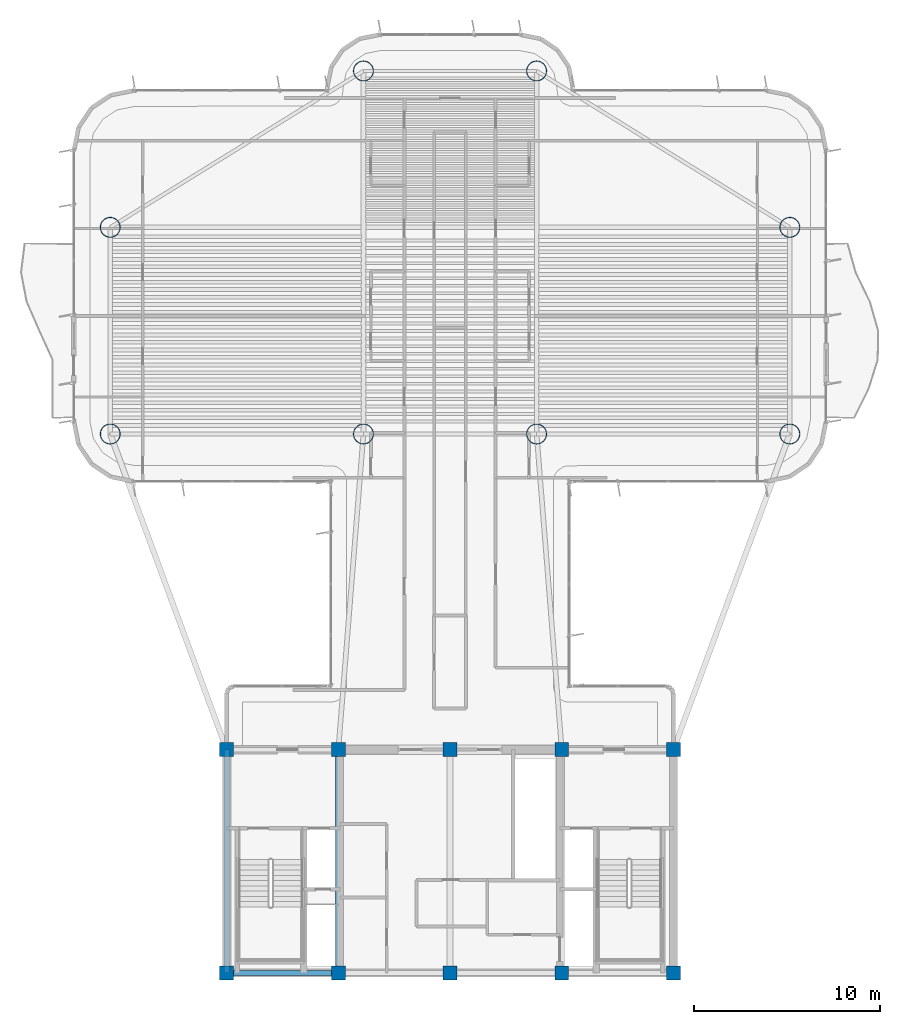
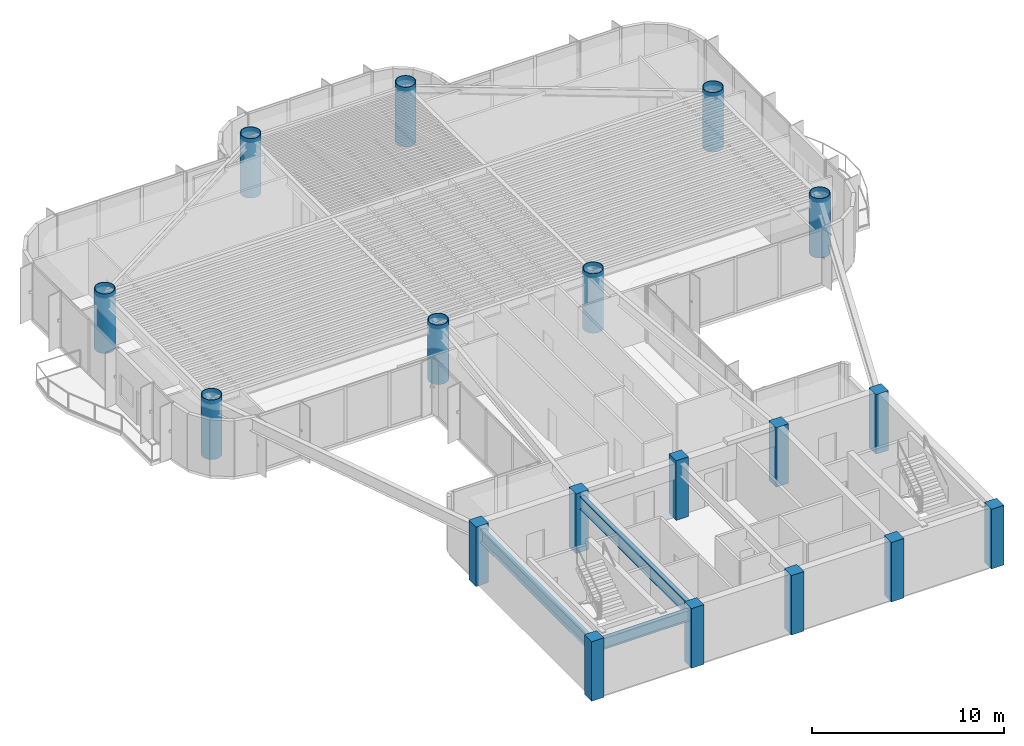
# One storey, part 1 of 15: 18 columns, 3 beams.
"""IFC4 building model written with IfcOpenShell, lengths in metres."""

import ifcopenshell
import ifcopenshell.guid

model = None  # the IFC model being written
_history = None  # IfcOwnerHistory: only IFC2X3 demands one
_inside = {}  # id of a spatial element -> (the spatial element, [elements in it])
_under = {}  # id of a project, library or spatial element -> (it, [spatial elements below it])
_declared = {}  # id of a project -> (the project, [libraries it declares])
_typed = {}  # id of a type object -> (the type object, [elements of that type])
_made_of = {}  # id of a material, layer set ... -> (it, [elements and type objects made of it])


def new_model(schema):
    """Start an empty IFC model of exactly this schema.

    Asked for "IFC4X3", IfcOpenShell would pick the latest addendum, in which some entities
    have other attributes; the version numbers below select the first issue.
    IFC2X3 requires an IfcOwnerHistory on every rooted entity: one is made here for all.
    """
    global model, _history
    if schema == "IFC4X3":
        model = ifcopenshell.file(schema_version=(4, 3, 0, 0))
    else:
        model = ifcopenshell.file(schema=schema)
    _inside.clear()
    _under.clear()
    _declared.clear()
    _typed.clear()
    _made_of.clear()
    _history = None
    if model.schema == "IFC2X3":
        org = make("IfcOrganization", Name="unknown")
        user = make(
            "IfcPersonAndOrganization",
            ThePerson=make("IfcPerson", FamilyName="unknown"),
            TheOrganization=org,
        )
        app = make(
            "IfcApplication",
            ApplicationDeveloper=org,
            Version="unknown",
            ApplicationFullName="unknown",
            ApplicationIdentifier="unknown",
        )
        _history = make(
            "IfcOwnerHistory",
            OwningUser=user,
            OwningApplication=app,
            ChangeAction="ADDED",
            CreationDate=0,
        )
    return model


def make(cls, **values):
    """One entity of the class cls with the attributes given. An attribute that is None is left unset."""
    return model.create_entity(
        cls, **{name: value for name, value in values.items() if value is not None}
    )


def rooted(cls, **values):
    """An entity with a GlobalId (a new one), such as an element, a storey or a relation."""
    return make(cls, GlobalId=ifcopenshell.guid.new(), OwnerHistory=_history, **values)


def si_unit(unit_type, name, prefix=None):
    """IfcSIUnit, for example si_unit("LENGTHUNIT", "METRE", prefix="MILLI")."""
    return make("IfcSIUnit", UnitType=unit_type, Prefix=prefix, Name=name)


def assignment(units):
    """IfcUnitAssignment: the units of a project."""
    return None if units is None else make("IfcUnitAssignment", Units=units)


def point(xyz):
    """IfcCartesianPoint."""
    return None if xyz is None else make("IfcCartesianPoint", Coordinates=xyz)


def direction(xyz):
    """IfcDirection."""
    return None if xyz is None else make("IfcDirection", DirectionRatios=xyz)


def frame(location, z_axis=None, x_axis=None):
    """IfcAxis2Placement3D, a coordinate frame: its origin and axes. An axis left out is left unset."""
    return make(
        "IfcAxis2Placement3D",
        Location=point(location),
        Axis=direction(z_axis),
        RefDirection=direction(x_axis),
    )


def frame_2d(location, x_axis=None):
    """IfcAxis2Placement2D, a coordinate frame in the plane: its origin and x axis."""
    return make(
        "IfcAxis2Placement2D", Location=point(location), RefDirection=direction(x_axis)
    )


def origin():
    """The frame at (0, 0, 0) with its axes left unset."""
    return frame((0.0, 0.0, 0.0))


def origin_2d():
    """The frame at (0, 0) in the plane with its x axis left unset."""
    return frame_2d((0.0, 0.0))


def place(relative_to, where):
    """IfcLocalPlacement: puts the frame where relative to a parent placement (None: the world)."""
    return make(
        "IfcLocalPlacement", PlacementRelTo=relative_to, RelativePlacement=where
    )


def context(
    kind, dimensions, precision=None, world=None, true_north=None, identifier=None
):
    """IfcGeometricRepresentationContext, for example the 3D "Model" context."""
    return make(
        "IfcGeometricRepresentationContext",
        ContextIdentifier=identifier,
        ContextType=kind,
        CoordinateSpaceDimension=dimensions,
        Precision=precision,
        WorldCoordinateSystem=world,
        TrueNorth=true_north,
    )


def subcontext(parent, identifier, kind, view, scale=None):
    """IfcGeometricRepresentationSubContext, for example "Body" below "Model"."""
    return make(
        "IfcGeometricRepresentationSubContext",
        ContextIdentifier=identifier,
        ContextType=kind,
        ParentContext=parent,
        TargetScale=scale,
        TargetView=view,
    )


def project(units=None, contexts=None):
    """IfcProject with its units and contexts."""
    return rooted(
        "IfcProject",
        Name="project",
        RepresentationContexts=contexts,
        UnitsInContext=assignment(units),
    )


def spatial(cls, under=None, at=None, **own):
    """A site, building, storey or space (cls), placed at a placement, below another one or the project."""
    s = rooted(cls, ObjectPlacement=at, **own)
    if under is not None:
        _under.setdefault(under.id(), (under, []))[1].append(s)
    return s


def profile(cls, at=None, kind="AREA", **sizes):
    """A parametric profile (cls). Its sizes go by their IFC names, for example OverallWidth=200.0."""
    return make(cls, ProfileType=kind, Position=at, **sizes)


def rectangle(**sizes):
    """IfcRectangleProfileDef."""
    return profile("IfcRectangleProfileDef", **sizes)


def hollow_circle(**sizes):
    """IfcCircleHollowProfileDef."""
    return profile("IfcCircleHollowProfileDef", **sizes)


def i_section(**sizes):
    """IfcIShapeProfileDef."""
    return profile("IfcIShapeProfileDef", **sizes)


def extrude(swept, where, along, depth):
    """IfcExtrudedAreaSolid: the profile swept, set in the frame where, extruded along a direction by depth."""
    return make(
        "IfcExtrudedAreaSolid",
        SweptArea=swept,
        Position=where,
        ExtrudedDirection=direction(along),
        Depth=depth,
    )


def shape(context_of_items, identifier, shape_type, items):
    """IfcShapeRepresentation: the items that make up one representation, for example the "Body"."""
    return make(
        "IfcShapeRepresentation",
        ContextOfItems=context_of_items,
        RepresentationIdentifier=identifier,
        RepresentationType=shape_type,
        Items=items,
    )


def source(mapping_origin, context_of_items, identifier, shape_type, items):
    """IfcRepresentationMap: a shape defined once, which mapped items show again and again."""
    return make(
        "IfcRepresentationMap",
        MappingOrigin=mapping_origin,
        MappedRepresentation=shape(context_of_items, identifier, shape_type, items),
    )


def transform(
    local_origin,
    x_axis=None,
    y_axis=None,
    z_axis=None,
    scale=None,
    scale2=None,
    scale3=None,
    uniform=True,
):
    """IfcCartesianTransformationOperator3D, or its non-uniform kind. x_axis, y_axis, z_axis: its Axis1, 2, 3."""
    if uniform:
        return make(
            "IfcCartesianTransformationOperator3D",
            Axis1=direction(x_axis),
            Axis2=direction(y_axis),
            LocalOrigin=point(local_origin),
            Scale=scale,
            Axis3=direction(z_axis),
        )
    return make(
        "IfcCartesianTransformationOperator3DnonUniform",
        Axis1=direction(x_axis),
        Axis2=direction(y_axis),
        LocalOrigin=point(local_origin),
        Scale=scale,
        Axis3=direction(z_axis),
        Scale2=scale2,
        Scale3=scale3,
    )


def mapped(mapping_source, mapping_target):
    """IfcMappedItem: shows the shape of a source again, moved by a transform."""
    return make(
        "IfcMappedItem", MappingSource=mapping_source, MappingTarget=mapping_target
    )


def material(Name=None, Category=None):
    """IfcMaterial."""
    return make("IfcMaterial", Name=Name, Category=Category)


def material_profile(
    of_material, cross_section, Name=None, Category=None, Priority=None
):
    """IfcMaterialProfile: a cross section and its material."""
    return make(
        "IfcMaterialProfile",
        Name=Name,
        Material=of_material,
        Profile=cross_section,
        Priority=Priority,
        Category=Category,
    )


def profile_set(profiles, Name=None, composite=None):
    """IfcMaterialProfileSet."""
    return make(
        "IfcMaterialProfileSet",
        Name=Name,
        MaterialProfiles=profiles,
        CompositeProfile=composite,
    )


def made_of(thing, what):
    """Note that an element or type object is made of a material, layer set ...; save() writes the relation."""
    if what is not None:
        _made_of.setdefault(what.id(), (what, []))[1].append(thing)
    return thing


def type_object(cls, material=None, **own):
    """A type object (cls), such as IfcWallType, which elements share."""
    return made_of(rooted(cls, **own), material)


def element(
    cls,
    number,
    at=None,
    inside=None,
    cuts=None,
    type_object=None,
    material=None,
    context=None,
    identifier="Body",
    shape_type=None,
    held_by="IfcProductDefinitionShape",
    body=None,
    shapes=None,
    **own,
):
    """One element of the class cls, such as IfcWall. Its Tag is "e" and its number.

    at: its placement. inside: the storey or other place that contains it. cuts: it is an
    opening in that element (IfcRelVoidsElement). A single representation is given by context,
    identifier, shape_type and body (its items); several are given by shapes. held_by: the class
    of the entity that holds the representations. save() writes the other relations.
    """
    e = rooted(cls, Tag="e%d" % number, ObjectPlacement=at, **own)
    if body is not None:
        shapes = [shape(context, identifier, shape_type, body)]
    if shapes is not None:
        e.Representation = make(held_by, Representations=shapes)
    if inside is not None:
        _inside.setdefault(inside.id(), (inside, []))[1].append(e)
    if cuts is not None:
        rooted(
            "IfcRelVoidsElement", RelatingBuildingElement=cuts, RelatedOpeningElement=e
        )
    if type_object is not None:
        _typed.setdefault(type_object.id(), (type_object, []))[1].append(e)
    return made_of(e, material)


def aggregate(whole, parts):
    """IfcRelAggregates: a whole, such as a stair, and the parts it consists of."""
    return rooted("IfcRelAggregates", RelatingObject=whole, RelatedObjects=parts)


def save(model, path):
    """Write the relations noted so far, then the file.

    IfcRelAggregates (storeys below a building ...), IfcRelContainedInSpatialStructure (elements
    in a storey), IfcRelDefinesByType, IfcRelAssociatesMaterial and IfcRelDeclares: one each for
    every whole, place, type object, material and project.
    """
    for whole, parts in _under.values():
        aggregate(whole, parts)
    for where, things in _inside.values():
        rooted(
            "IfcRelContainedInSpatialStructure",
            RelatedElements=things,
            RelatingStructure=where,
        )
    for kind, things in _typed.values():
        rooted("IfcRelDefinesByType", RelatedObjects=things, RelatingType=kind)
    for what, things in _made_of.values():
        rooted("IfcRelAssociatesMaterial", RelatedObjects=things, RelatingMaterial=what)
    for by, libraries in _declared.values():
        rooted("IfcRelDeclares", RelatingContext=by, RelatedDefinitions=libraries)
    model.write(path)


model = new_model("IFC4")

# Units and contexts
model_context = context("Model", 3, precision=1e-05, world=origin(), true_north=direction((0.0, 1.0)))
body_context = subcontext(model_context, "Body", "Model", "MODEL_VIEW")
ifc_project = project(units=[si_unit("LENGTHUNIT", "METRE"), si_unit("AREAUNIT", "SQUARE_METRE"), si_unit("VOLUMEUNIT", "CUBIC_METRE"), si_unit("PLANEANGLEUNIT", "RADIAN"), si_unit("MASSUNIT", "GRAM", prefix="KILO")], contexts=[model_context])

# Site, building, storey
site_placement = place(None, origin())
site = spatial("IfcSite", under=ifc_project, at=site_placement, CompositionType="ELEMENT")
building_placement = place(site_placement, origin())
building = spatial("IfcBuilding", under=site, at=building_placement, Name="Brelvock Crest Care Tower", CompositionType="ELEMENT")
storey_placement = place(building_placement, frame((0.0, 0.0, 163.97998046875)))
storey = spatial("IfcBuildingStorey", under=building, at=storey_placement, Name="L41", CompositionType="ELEMENT", Elevation=163.97998046875)

# Columns
ifc_material_1 = material(Name="Concrete S65 (65 MPa)", Category="concrete")
ifc_material_profile_1 = material_profile(ifc_material_1, rectangle(XDim=0.75, YDim=0.75, at=origin_2d()), Name="RC750x750")
ifc_profile_set_1 = profile_set([ifc_material_profile_1], Name="Concrete S65 (65 MPa)")
column_type_1 = type_object("IfcColumnType", Name="COL-RC3", PredefinedType="COLUMN", material=ifc_profile_set_1)
shared_shape_1 = source(origin(), body_context, "Body", "SweptSolid", [
    extrude(rectangle(XDim=0.75, YDim=0.75, at=origin_2d()), origin(), (0.0, 0.0, 1.0), 3.780029296875),
])
for number, where, z_axis, x_axis, name in (
    (1, (24.0, 6.0, 0.0), (0.0, 0.0, 1.0), (1.0, 0.0, 0.0), "L41 Core Column CC-01"),
    (2, (30.0, 6.0, 0.0), (0.0, 0.0, 1.0), (1.0, 0.0, 0.0), "L41 Core Column CC-02"),
    (3, (36.0, 6.0, 0.0), (0.0, 0.0, 1.0), (1.0, 0.0, 0.0), "L41 Core Column CC-03"),
    (4, (42.0, 6.0, 0.0), (0.0, 0.0, 1.0), (1.0, 0.0, 0.0), "L41 Core Column CC-04"),
    (5, (48.0, 6.0, 0.0), (0.0, 0.0, 1.0), (1.0, 0.0, 0.0), "L41 Core Column CC-05"),
    (6, (24.0, 18.0, 0.0), (0.0, 0.0, 1.0), (1.0, 0.0, 0.0), "L41 Core Column CC-06"),
    (7, (30.0, 18.0, 0.0), (0.0, 0.0, 1.0), (1.0, 0.0, 0.0), "L41 Core Column CC-07"),
    (8, (36.0, 18.0, 0.0), (0.0, 0.0, 1.0), (1.0, 0.0, 0.0), "L41 Core Column CC-08"),
    (9, (42.0, 18.0, 0.0), (0.0, 0.0, 1.0), (1.0, 0.0, 0.0), "L41 Core Column CC-09"),
    (10, (48.0, 18.0, 0.0), (0.0, 0.0, 1.0), (1.0, 0.0, 0.0), "L41 Core Column CC-10"),
):
    element("IfcColumn", number, at=place(storey_placement, frame(where, z_axis=z_axis, x_axis=x_axis)), inside=storey, type_object=column_type_1, Name=name, PredefinedType="COLUMN", context=body_context, shape_type="MappedRepresentation", body=[
        mapped(shared_shape_1, transform((0.0, 0.0, 0.0), x_axis=(1.0, 0.0, 0.0), y_axis=(0.0, 1.0, 0.0), z_axis=(0.0, 0.0, 1.0), scale=1.0)),
    ])
ifc_material_2 = material(Name="Steel Grade 350", Category="steel")
ifc_material_profile_2 = material_profile(ifc_material_2, hollow_circle(Radius=0.550048828125, WallThickness=0.0400390625, at=origin_2d()), Name="CFT1100x40")
ifc_profile_set_2 = profile_set([ifc_material_profile_2], Name="Steel Grade 350")
column_type_2 = type_object("IfcColumnType", Name="COL-MC3", PredefinedType="COLUMN", material=ifc_profile_set_2)
shared_shape_2 = source(origin(), body_context, "Body", "SweptSolid", [
    extrude(hollow_circle(Radius=0.550048828125, WallThickness=0.0400390625, at=origin_2d()), origin(), (0.0, 0.0, 1.0), 3.780029296875),
])
for number, where, z_axis, x_axis, name in (
    (11, (17.75, 34.949951171875, 0.0), (0.0, 0.0, 1.0), (1.0, 0.0, 0.0), "L41 Tower Column M1"),
    (12, (17.75, 46.050048828125, 0.0), (0.0, 0.0, 1.0), (1.0, 0.0, 0.0), "L41 Tower Column M2"),
    (13, (54.25, 34.949951171875, 0.0), (0.0, 0.0, 1.0), (1.0, 0.0, 0.0), "L41 Tower Column M3"),
    (14, (54.25, 46.050048828125, 0.0), (0.0, 0.0, 1.0), (1.0, 0.0, 0.0), "L41 Tower Column M4"),
    (15, (31.35009765625, 34.949951171875, 0.0), (0.0, 0.0, 1.0), (1.0, 0.0, 0.0), "L41 Tower Column M5"),
    (16, (40.64990234375, 34.949951171875, 0.0), (0.0, 0.0, 1.0), (1.0, 0.0, 0.0), "L41 Tower Column M6"),
    (17, (31.35009765625, 54.449951171875, 0.0), (0.0, 0.0, 1.0), (1.0, 0.0, 0.0), "L41 Tower Column M7"),
    (18, (40.64990234375, 54.449951171875, 0.0), (0.0, 0.0, 1.0), (1.0, 0.0, 0.0), "L41 Tower Column M8"),
):
    element("IfcColumn", number, at=place(storey_placement, frame(where, z_axis=z_axis, x_axis=x_axis)), inside=storey, type_object=column_type_2, Name=name, PredefinedType="COLUMN", context=body_context, shape_type="MappedRepresentation", body=[
        mapped(shared_shape_2, transform((0.0, 0.0, 0.0), x_axis=(1.0, 0.0, 0.0), y_axis=(0.0, 1.0, 0.0), z_axis=(0.0, 0.0, 1.0), scale=1.0)),
    ])

# Beams
ifc_material_profile_3 = material_profile(ifc_material_2, i_section(OverallWidth=0.25, OverallDepth=0.699951171875, WebThickness=0.011962890625, FlangeThickness=0.02001953125, at=origin_2d()), Name="700WB150")
ifc_profile_set_3 = profile_set([ifc_material_profile_3], Name="Steel Grade 350")
beam_type_1 = type_object("IfcBeamType", Name="BM-G4", PredefinedType="BEAM", material=ifc_profile_set_3)
shared_shape_3 = source(origin(), body_context, "Body", "SweptSolid", [
    extrude(i_section(OverallWidth=0.25, OverallDepth=0.699951171875, WebThickness=0.011962890625, FlangeThickness=0.02001953125, at=origin_2d()), origin(), (0.0, 0.0, 1.0), 6.0),
])
beam_placement = place(storey_placement, frame((24.0, 6.0, 3.179931640625), z_axis=(1.0, 0.0, 0.0), x_axis=(0.0, 1.0, 0.0)))
element("IfcBeam", 19, at=beam_placement, inside=storey, type_object=beam_type_1, Name="BM-CORES-L41-1", PredefinedType="BEAM", context=body_context, shape_type="MappedRepresentation", body=[
    mapped(shared_shape_3, transform((0.0, 0.0, 0.0), x_axis=(1.0, 0.0, 0.0), y_axis=(0.0, 1.0, 0.0), z_axis=(0.0, 0.0, 1.0), scale=1.0)),
])
ifc_material_profile_4 = material_profile(ifc_material_2, i_section(OverallWidth=0.300048828125, OverallDepth=0.800048828125, WebThickness=0.013916015625, FlangeThickness=0.02197265625, at=origin_2d()), Name="800WB192")
ifc_profile_set_4 = profile_set([ifc_material_profile_4], Name="Steel Grade 350")
beam_type_2 = type_object("IfcBeamType", Name="BM-G5", PredefinedType="BEAM", material=ifc_profile_set_4)
shared_shape_4 = source(origin(), body_context, "Body", "SweptSolid", [
    extrude(i_section(OverallWidth=0.300048828125, OverallDepth=0.800048828125, WebThickness=0.013916015625, FlangeThickness=0.02197265625, at=origin_2d()), origin(), (0.0, 0.0, 1.0), 12.0),
])
for number, where, z_axis, x_axis, name in (
    (20, (24.0, 6.0, 3.130126953125), (0.0, 1.0, 0.0), (-1.0, 0.0, 0.0), "BM-COREX-L41-1"),
    (21, (30.0, 6.0, 3.130126953125), (0.0, 1.0, 0.0), (-1.0, 0.0, 0.0), "BM-COREX-L41-2"),
):
    element("IfcBeam", number, at=place(storey_placement, frame(where, z_axis=z_axis, x_axis=x_axis)), inside=storey, type_object=beam_type_2, Name=name, PredefinedType="BEAM", context=body_context, shape_type="MappedRepresentation", body=[
        mapped(shared_shape_4, transform((0.0, 0.0, 0.0), x_axis=(1.0, 0.0, 0.0), y_axis=(0.0, 1.0, 0.0), z_axis=(0.0, 0.0, 1.0), scale=1.0)),
    ])

save(model, "model.ifc")
